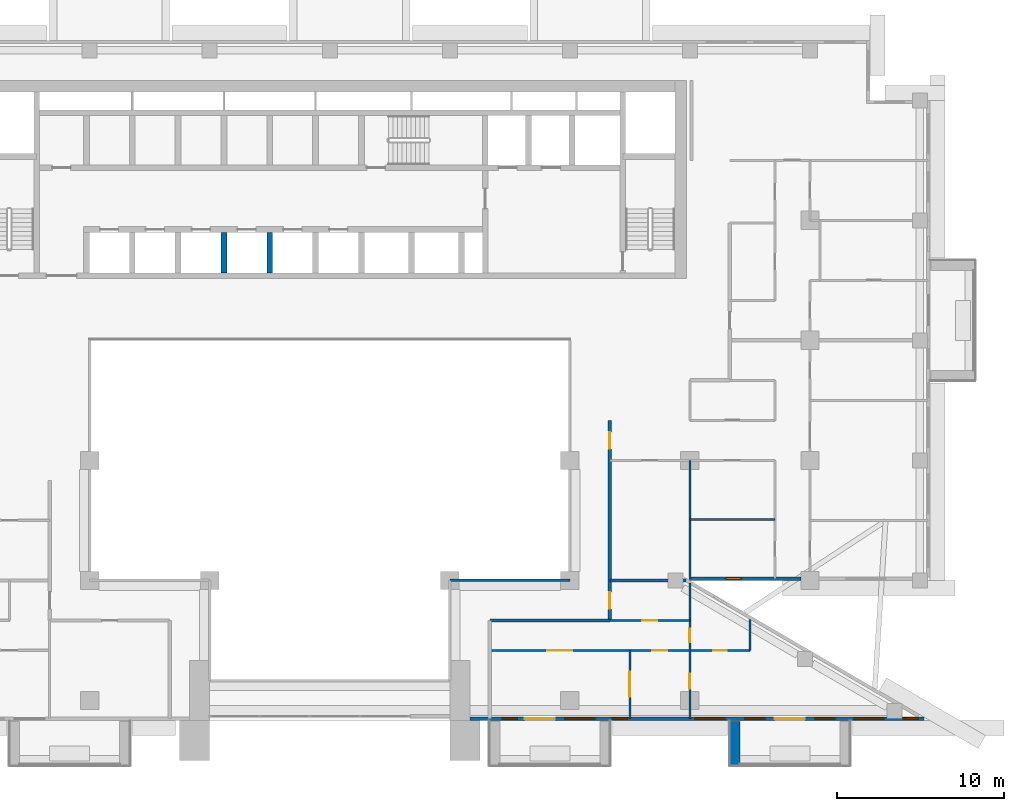
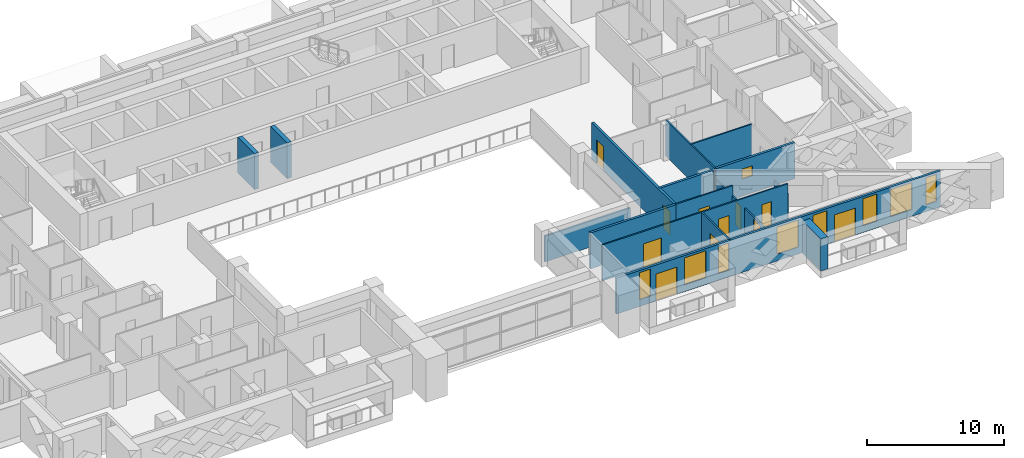
# One storey, part 8 of 20: 16 walls, 11 doors, 9 windows, 20 openings.
"""IFC4 building model written with IfcOpenShell, lengths in metres."""

import ifcopenshell
import ifcopenshell.guid

model = None  # the IFC model being written
_history = None  # IfcOwnerHistory: only IFC2X3 demands one
_inside = {}  # id of a spatial element -> (the spatial element, [elements in it])
_under = {}  # id of a project, library or spatial element -> (it, [spatial elements below it])
_declared = {}  # id of a project -> (the project, [libraries it declares])
_typed = {}  # id of a type object -> (the type object, [elements of that type])
_made_of = {}  # id of a material, layer set ... -> (it, [elements and type objects made of it])


def new_model(schema):
    """Start an empty IFC model of exactly this schema.

    Asked for "IFC4X3", IfcOpenShell would pick the latest addendum, in which some entities
    have other attributes; the version numbers below select the first issue.
    IFC2X3 requires an IfcOwnerHistory on every rooted entity: one is made here for all.
    """
    global model, _history
    if schema == "IFC4X3":
        model = ifcopenshell.file(schema_version=(4, 3, 0, 0))
    else:
        model = ifcopenshell.file(schema=schema)
    _inside.clear()
    _under.clear()
    _declared.clear()
    _typed.clear()
    _made_of.clear()
    _history = None
    if model.schema == "IFC2X3":
        org = make("IfcOrganization", Name="unknown")
        user = make(
            "IfcPersonAndOrganization",
            ThePerson=make("IfcPerson", FamilyName="unknown"),
            TheOrganization=org,
        )
        app = make(
            "IfcApplication",
            ApplicationDeveloper=org,
            Version="unknown",
            ApplicationFullName="unknown",
            ApplicationIdentifier="unknown",
        )
        _history = make(
            "IfcOwnerHistory",
            OwningUser=user,
            OwningApplication=app,
            ChangeAction="ADDED",
            CreationDate=0,
        )
    return model


def make(cls, **values):
    """One entity of the class cls with the attributes given. An attribute that is None is left unset."""
    return model.create_entity(
        cls, **{name: value for name, value in values.items() if value is not None}
    )


def rooted(cls, **values):
    """An entity with a GlobalId (a new one), such as an element, a storey or a relation."""
    return make(cls, GlobalId=ifcopenshell.guid.new(), OwnerHistory=_history, **values)


def si_unit(unit_type, name, prefix=None):
    """IfcSIUnit, for example si_unit("LENGTHUNIT", "METRE", prefix="MILLI")."""
    return make("IfcSIUnit", UnitType=unit_type, Prefix=prefix, Name=name)


def assignment(units):
    """IfcUnitAssignment: the units of a project."""
    return None if units is None else make("IfcUnitAssignment", Units=units)


def point(xyz):
    """IfcCartesianPoint."""
    return None if xyz is None else make("IfcCartesianPoint", Coordinates=xyz)


def direction(xyz):
    """IfcDirection."""
    return None if xyz is None else make("IfcDirection", DirectionRatios=xyz)


def frame(location, z_axis=None, x_axis=None):
    """IfcAxis2Placement3D, a coordinate frame: its origin and axes. An axis left out is left unset."""
    return make(
        "IfcAxis2Placement3D",
        Location=point(location),
        Axis=direction(z_axis),
        RefDirection=direction(x_axis),
    )


def frame_2d(location, x_axis=None):
    """IfcAxis2Placement2D, a coordinate frame in the plane: its origin and x axis."""
    return make(
        "IfcAxis2Placement2D", Location=point(location), RefDirection=direction(x_axis)
    )


def origin():
    """The frame at (0, 0, 0) with its axes left unset."""
    return frame((0.0, 0.0, 0.0))


def place(relative_to, where):
    """IfcLocalPlacement: puts the frame where relative to a parent placement (None: the world)."""
    return make(
        "IfcLocalPlacement", PlacementRelTo=relative_to, RelativePlacement=where
    )


def context(
    kind, dimensions, precision=None, world=None, true_north=None, identifier=None
):
    """IfcGeometricRepresentationContext, for example the 3D "Model" context."""
    return make(
        "IfcGeometricRepresentationContext",
        ContextIdentifier=identifier,
        ContextType=kind,
        CoordinateSpaceDimension=dimensions,
        Precision=precision,
        WorldCoordinateSystem=world,
        TrueNorth=true_north,
    )


def subcontext(parent, identifier, kind, view, scale=None):
    """IfcGeometricRepresentationSubContext, for example "Body" below "Model"."""
    return make(
        "IfcGeometricRepresentationSubContext",
        ContextIdentifier=identifier,
        ContextType=kind,
        ParentContext=parent,
        TargetScale=scale,
        TargetView=view,
    )


def project(units=None, contexts=None):
    """IfcProject with its units and contexts."""
    return rooted(
        "IfcProject",
        Name="project",
        RepresentationContexts=contexts,
        UnitsInContext=assignment(units),
    )


def spatial(cls, under=None, at=None, **own):
    """A site, building, storey or space (cls), placed at a placement, below another one or the project."""
    s = rooted(cls, ObjectPlacement=at, **own)
    if under is not None:
        _under.setdefault(under.id(), (under, []))[1].append(s)
    return s


def profile(cls, at=None, kind="AREA", **sizes):
    """A parametric profile (cls). Its sizes go by their IFC names, for example OverallWidth=200.0."""
    return make(cls, ProfileType=kind, Position=at, **sizes)


def rectangle(**sizes):
    """IfcRectangleProfileDef."""
    return profile("IfcRectangleProfileDef", **sizes)


def extrude(swept, where, along, depth):
    """IfcExtrudedAreaSolid: the profile swept, set in the frame where, extruded along a direction by depth."""
    return make(
        "IfcExtrudedAreaSolid",
        SweptArea=swept,
        Position=where,
        ExtrudedDirection=direction(along),
        Depth=depth,
    )


def shape(context_of_items, identifier, shape_type, items):
    """IfcShapeRepresentation: the items that make up one representation, for example the "Body"."""
    return make(
        "IfcShapeRepresentation",
        ContextOfItems=context_of_items,
        RepresentationIdentifier=identifier,
        RepresentationType=shape_type,
        Items=items,
    )


def material(Name=None, Category=None):
    """IfcMaterial."""
    return make("IfcMaterial", Name=Name, Category=Category)


def layer(
    of_material, thickness, ventilated=None, Name=None, Category=None, Priority=None
):
    """IfcMaterialLayer: one layer of a wall or slab, of a material (None: an air gap)."""
    return make(
        "IfcMaterialLayer",
        Material=of_material,
        LayerThickness=thickness,
        IsVentilated=ventilated,
        Name=Name,
        Category=Category,
        Priority=Priority,
    )


def layer_set(layers, Name=None):
    """IfcMaterialLayerSet."""
    return make("IfcMaterialLayerSet", MaterialLayers=layers, LayerSetName=Name)


def made_of(thing, what):
    """Note that an element or type object is made of a material, layer set ...; save() writes the relation."""
    if what is not None:
        _made_of.setdefault(what.id(), (what, []))[1].append(thing)
    return thing


def type_object(cls, material=None, **own):
    """A type object (cls), such as IfcWallType, which elements share."""
    return made_of(rooted(cls, **own), material)


def element(
    cls,
    number,
    at=None,
    inside=None,
    cuts=None,
    type_object=None,
    material=None,
    context=None,
    identifier="Body",
    shape_type=None,
    held_by="IfcProductDefinitionShape",
    body=None,
    shapes=None,
    **own,
):
    """One element of the class cls, such as IfcWall. Its Tag is "e" and its number.

    at: its placement. inside: the storey or other place that contains it. cuts: it is an
    opening in that element (IfcRelVoidsElement). A single representation is given by context,
    identifier, shape_type and body (its items); several are given by shapes. held_by: the class
    of the entity that holds the representations. save() writes the other relations.
    """
    e = rooted(cls, Tag="e%d" % number, ObjectPlacement=at, **own)
    if body is not None:
        shapes = [shape(context, identifier, shape_type, body)]
    if shapes is not None:
        e.Representation = make(held_by, Representations=shapes)
    if inside is not None:
        _inside.setdefault(inside.id(), (inside, []))[1].append(e)
    if cuts is not None:
        rooted(
            "IfcRelVoidsElement", RelatingBuildingElement=cuts, RelatedOpeningElement=e
        )
    if type_object is not None:
        _typed.setdefault(type_object.id(), (type_object, []))[1].append(e)
    return made_of(e, material)


def fill(opening, filler):
    """IfcRelFillsElement: the door or window that sits in an opening."""
    return rooted(
        "IfcRelFillsElement",
        RelatingOpeningElement=opening,
        RelatedBuildingElement=filler,
    )


def aggregate(whole, parts):
    """IfcRelAggregates: a whole, such as a stair, and the parts it consists of."""
    return rooted("IfcRelAggregates", RelatingObject=whole, RelatedObjects=parts)


def save(model, path):
    """Write the relations noted so far, then the file.

    IfcRelAggregates (storeys below a building ...), IfcRelContainedInSpatialStructure (elements
    in a storey), IfcRelDefinesByType, IfcRelAssociatesMaterial and IfcRelDeclares: one each for
    every whole, place, type object, material and project.
    """
    for whole, parts in _under.values():
        aggregate(whole, parts)
    for where, things in _inside.values():
        rooted(
            "IfcRelContainedInSpatialStructure",
            RelatedElements=things,
            RelatingStructure=where,
        )
    for kind, things in _typed.values():
        rooted("IfcRelDefinesByType", RelatedObjects=things, RelatingType=kind)
    for what, things in _made_of.values():
        rooted("IfcRelAssociatesMaterial", RelatedObjects=things, RelatingMaterial=what)
    for by, libraries in _declared.values():
        rooted("IfcRelDeclares", RelatingContext=by, RelatedDefinitions=libraries)
    model.write(path)


model = new_model("IFC4")

# Units and contexts
model_context = context("Model", 3, precision=1e-05, world=origin(), true_north=direction((0.0, 1.0)))
body_context = subcontext(model_context, "Body", "Model", "MODEL_VIEW")
ifc_project = project(units=[si_unit("LENGTHUNIT", "METRE"), si_unit("AREAUNIT", "SQUARE_METRE"), si_unit("VOLUMEUNIT", "CUBIC_METRE"), si_unit("PLANEANGLEUNIT", "RADIAN"), si_unit("MASSUNIT", "GRAM", prefix="KILO")], contexts=[model_context])

# Site, building, storey
site_placement = place(None, origin())
site = spatial("IfcSite", under=ifc_project, at=site_placement, CompositionType="ELEMENT")
building_placement = place(site_placement, origin())
building = spatial("IfcBuilding", under=site, at=building_placement, Name="Saffron Iwan Residences", CompositionType="ELEMENT")
storey_placement = place(building_placement, frame((0.0, 0.0, 130.5)))
storey = spatial("IfcBuildingStorey", under=building, at=storey_placement, Name="L34", CompositionType="ELEMENT", Elevation=130.5)

# Walls
ifc_material_1 = material(Name="Fire-rated glazing", Category="glass")
ifc_layer_1 = layer(ifc_material_1, 0.14990234375)
ifc_layer_set_1 = layer_set([ifc_layer_1], Name="Fire-rated glazing")
wall_type_1 = type_object("IfcWallType", Name="Atrium glazed screen 150", PredefinedType="SOLIDWALL", material=ifc_layer_set_1)
wall_1_placement = place(storey_placement, frame((57.60009765625, 48.0, 0.0), z_axis=(0.0, 0.0, 1.0), x_axis=(1.0, 0.0, 0.0)))
element("IfcWall", 1, at=wall_1_placement, inside=storey, type_object=wall_type_1, Name="W-L34-SCREEN-h48-57.6", PredefinedType="SOLIDWALL", context=body_context, shape_type="SweptSolid", body=[
    extrude(rectangle(XDim=7.199951171875, YDim=0.14990234375, at=frame_2d((3.60009765625, 0.0))), origin(), (0.0, 0.0, 1.0), 2.300048828125),
])
ifc_material_2 = material(Name="Concrete C50/60 white painted", Category="concrete")
ifc_layer_2 = layer(ifc_material_2, 0.60009765625)
ifc_layer_set_2 = layer_set([ifc_layer_2], Name="Concrete C50/60 white painted")
wall_type_2 = type_object("IfcWallType", Name="BALCONY FIN 600", PredefinedType="SOLIDWALL", material=ifc_layer_set_2)
wall_2_placement = place(storey_placement, frame((74.699951171875, 39.550048828125, 0.0), z_axis=(0.0, 0.0, 1.0), x_axis=(0.0, -1.0, 0.0)))
element("IfcWall", 2, at=wall_2_placement, inside=storey, type_object=wall_type_2, Name="Balcony fin L34 11-2a", PredefinedType="SOLIDWALL", context=body_context, shape_type="SweptSolid", body=[
    extrude(rectangle(XDim=2.650146484375, YDim=0.60009765625, at=frame_2d((1.3251953125, 0.0))), origin(), (0.0, 0.0, 1.0), 2.85009765625),
])

# Wall, opening, window
ifc_material_3 = material(Name="Concrete C40/50", Category="concrete")
ifc_layer_3 = layer(ifc_material_3, 0.199951171875)
ifc_layer_set_3 = layer_set([ifc_layer_3], Name="Concrete C40/50")
wall_type_3 = type_object("IfcWallType", Name="EXTERNAL WALL 200", PredefinedType="SOLIDWALL", material=ifc_layer_set_3)
wall_3_placement = place(storey_placement, frame((71.989990234375, 48.10009765625, 0.0), z_axis=(0.0, 0.0, 1.0), x_axis=(1.0, 0.0, 0.0)))
wall_3 = element("IfcWall", 3, at=wall_3_placement, inside=storey, type_object=wall_type_3, Name="External wall L34 F1.0", PredefinedType="SOLIDWALL", context=body_context, shape_type="SweptSolid", body=[
    extrude(rectangle(XDim=6.659912109375, YDim=0.199951171875, at=frame_2d((3.330078125, 0.0))), origin(), (0.0, 0.0, 1.0), 3.199951171875),
])
opening_1_placement = place(wall_3_placement, frame((2.204833984375, 0.0, 1.5)))
opening_1 = element("IfcOpeningElement", 4, at=opening_1_placement, cuts=wall_3, Name="Opening W6", PredefinedType="OPENING", context=body_context, shape_type="SweptSolid", body=[
    extrude(rectangle(XDim=0.89990234375, YDim=0.89990234375, at=frame_2d((0.449951171875, 0.449951171875))), frame((0.0, 0.10986328125, 0.0), z_axis=(0.0, -1.0, 0.0), x_axis=(1.0, 0.0, 0.0)), (0.0, 0.0, 1.0), 0.219970703125),
])
ifc_material_4 = material(Name="Clear glass, laminated double glazed", Category="glass")
window_type_1 = type_object("IfcWindowType", Name="WINDOW 900 x 900 BATH", PartitioningType="SINGLE_PANEL", PredefinedType="WINDOW", material=ifc_material_4)
window_1_placement = place(opening_1_placement, origin())
window_1 = element("IfcWindow", 5, at=window_1_placement, inside=storey, type_object=window_type_1, Name="Window L34 F1.0", OverallHeight=0.89990234375, OverallWidth=0.89990234375, PartitioningType="SINGLE_PANEL", PredefinedType="WINDOW", context=body_context, shape_type="SweptSolid", body=[
    extrude(rectangle(XDim=0.89990234375, YDim=0.89990234375, at=frame_2d((0.449951171875, 0.449951171875))), frame((0.0, 0.030029296875, 0.0), z_axis=(0.0, -1.0, 0.0), x_axis=(1.0, 0.0, 0.0)), (0.0, 0.0, 1.0), 0.06005859375),
])
fill(opening_1, window_1)

# Wall, openings, doors, windows
wall_4_placement = place(storey_placement, frame((58.800048828125, 39.699951171875, 0.0), z_axis=(0.0, 0.0, 1.0), x_axis=(1.0, 0.0, 0.0)))
wall_4 = element("IfcWall", 6, at=wall_4_placement, inside=storey, type_object=wall_type_3, Name="External wall L34 F11.1", PredefinedType="SOLIDWALL", context=body_context, shape_type="SweptSolid", body=[
    extrude(rectangle(XDim=27.22998046875, YDim=0.199951171875, at=frame_2d((13.614990234375, 0.0))), origin(), (0.0, 0.0, 1.0), 3.199951171875),
])
opening_2_placement = place(wall_4_placement, frame((3.300048828125, 0.0, 0.0)))
opening_2 = element("IfcOpeningElement", 7, at=opening_2_placement, cuts=wall_4, Name="Opening BD1", PredefinedType="OPENING", context=body_context, shape_type="SweptSolid", body=[
    extrude(rectangle(XDim=1.800048828125, YDim=2.39990234375, at=frame_2d((0.89990234375, 1.199951171875))), frame((0.0, 0.10986328125, 0.0), z_axis=(0.0, -1.0, 0.0), x_axis=(1.0, 0.0, 0.0)), (0.0, 0.0, 1.0), 0.219970703125),
])
opening_3_placement = place(wall_4_placement, frame((18.300048828125, 0.0, 0.0)))
opening_3 = element("IfcOpeningElement", 8, at=opening_3_placement, cuts=wall_4, Name="Opening BD1", PredefinedType="OPENING", context=body_context, shape_type="SweptSolid", body=[
    extrude(rectangle(XDim=1.800048828125, YDim=2.39990234375, at=frame_2d((0.89990234375, 1.199951171875))), frame((0.0, 0.10986328125, 0.0), z_axis=(0.0, -1.0, 0.0), x_axis=(1.0, 0.0, 0.0)), (0.0, 0.0, 1.0), 0.219970703125),
])
opening_4_placement = place(wall_4_placement, frame((1.949951171875, 0.0, 0.60009765625)))
opening_4 = element("IfcOpeningElement", 9, at=opening_4_placement, cuts=wall_4, Name="Opening W10", PredefinedType="OPENING", context=body_context, shape_type="SweptSolid", body=[
    extrude(rectangle(XDim=0.89990234375, YDim=2.39990234375, at=frame_2d((0.449951171875, 1.199951171875))), frame((0.0, 0.10986328125, 0.0), z_axis=(0.0, -1.0, 0.0), x_axis=(1.0, 0.0, 0.0)), (0.0, 0.0, 1.0), 0.219970703125),
])
opening_5_placement = place(wall_4_placement, frame((5.699951171875, 0.0, 0.60009765625)))
opening_5 = element("IfcOpeningElement", 10, at=opening_5_placement, cuts=wall_4, Name="Opening W8", PredefinedType="OPENING", context=body_context, shape_type="SweptSolid", body=[
    extrude(rectangle(XDim=1.800048828125, YDim=2.39990234375, at=frame_2d((0.89990234375, 1.199951171875))), frame((0.0, 0.10986328125, 0.0), z_axis=(0.0, -1.0, 0.0), x_axis=(1.0, 0.0, 0.0)), (0.0, 0.0, 1.0), 0.219970703125),
])
opening_6_placement = place(wall_4_placement, frame((8.550048828125, 0.0, 0.60009765625)))
opening_6 = element("IfcOpeningElement", 11, at=opening_6_placement, cuts=wall_4, Name="Opening W10", PredefinedType="OPENING", context=body_context, shape_type="SweptSolid", body=[
    extrude(rectangle(XDim=0.89990234375, YDim=2.39990234375, at=frame_2d((0.449951171875, 1.199951171875))), frame((0.0, 0.10986328125, 0.0), z_axis=(0.0, -1.0, 0.0), x_axis=(1.0, 0.0, 0.0)), (0.0, 0.0, 1.0), 0.219970703125),
])
opening_7_placement = place(wall_4_placement, frame((13.5, 0.0, 0.60009765625)))
opening_7 = element("IfcOpeningElement", 12, at=opening_7_placement, cuts=wall_4, Name="Opening W8", PredefinedType="OPENING", context=body_context, shape_type="SweptSolid", body=[
    extrude(rectangle(XDim=1.800048828125, YDim=2.39990234375, at=frame_2d((0.89990234375, 1.199951171875))), frame((0.0, 0.10986328125, 0.0), z_axis=(0.0, -1.0, 0.0), x_axis=(1.0, 0.0, 0.0)), (0.0, 0.0, 1.0), 0.219970703125),
])
opening_8_placement = place(wall_4_placement, frame((16.5, 0.0, 0.60009765625)))
opening_8 = element("IfcOpeningElement", 13, at=opening_8_placement, cuts=wall_4, Name="Opening W3", PredefinedType="OPENING", context=body_context, shape_type="SweptSolid", body=[
    extrude(rectangle(XDim=1.199951171875, YDim=2.39990234375, at=frame_2d((0.60009765625, 1.199951171875))), frame((0.0, 0.10986328125, 0.0), z_axis=(0.0, -1.0, 0.0), x_axis=(1.0, 0.0, 0.0)), (0.0, 0.0, 1.0), 0.219970703125),
])
opening_9_placement = place(wall_4_placement, frame((20.699951171875, 0.0, 0.60009765625)))
opening_9 = element("IfcOpeningElement", 14, at=opening_9_placement, cuts=wall_4, Name="Opening W3", PredefinedType="OPENING", context=body_context, shape_type="SweptSolid", body=[
    extrude(rectangle(XDim=1.199951171875, YDim=2.39990234375, at=frame_2d((0.60009765625, 1.199951171875))), frame((0.0, 0.10986328125, 0.0), z_axis=(0.0, -1.0, 0.0), x_axis=(1.0, 0.0, 0.0)), (0.0, 0.0, 1.0), 0.219970703125),
])
opening_10_placement = place(wall_4_placement, frame((23.0380859375, 0.0, 0.60009765625)))
opening_10 = element("IfcOpeningElement", 15, at=opening_10_placement, cuts=wall_4, Name="Opening W8", PredefinedType="OPENING", context=body_context, shape_type="SweptSolid", body=[
    extrude(rectangle(XDim=1.800048828125, YDim=2.39990234375, at=frame_2d((0.89990234375, 1.199951171875))), frame((0.0, 0.10986328125, 0.0), z_axis=(0.0, -1.0, 0.0), x_axis=(1.0, 0.0, 0.0)), (0.0, 0.0, 1.0), 0.219970703125),
])
opening_11_placement = place(wall_4_placement, frame((26.003173828125, 0.0, 0.60009765625)))
opening_11 = element("IfcOpeningElement", 16, at=opening_11_placement, cuts=wall_4, Name="Opening W10", PredefinedType="OPENING", context=body_context, shape_type="SweptSolid", body=[
    extrude(rectangle(XDim=0.89990234375, YDim=2.39990234375, at=frame_2d((0.449951171875, 1.199951171875))), frame((0.0, 0.10986328125, 0.0), z_axis=(0.0, -1.0, 0.0), x_axis=(1.0, 0.0, 0.0)), (0.0, 0.0, 1.0), 0.219970703125),
])
door_type_1 = type_object("IfcDoorType", Name="BALCONY DOOR 1800 x 2400", OperationType="DOUBLE_DOOR_SLIDING", PredefinedType="DOOR", material=ifc_material_4)
door_1_placement = place(opening_2_placement, origin())
door_1 = element("IfcDoor", 17, at=door_1_placement, inside=storey, type_object=door_type_1, Name="Balcony door L34 F11.0", OperationType="DOUBLE_DOOR_SLIDING", OverallHeight=2.39990234375, OverallWidth=1.800048828125, PredefinedType="DOOR", context=body_context, shape_type="SweptSolid", body=[
    extrude(rectangle(XDim=1.800048828125, YDim=2.39990234375, at=frame_2d((0.89990234375, 1.199951171875))), frame((0.0, 0.02490234375, 0.0), z_axis=(0.0, -1.0, 0.0), x_axis=(1.0, 0.0, 0.0)), (0.0, 0.0, 1.0), 0.050048828125),
])
fill(opening_2, door_1)
door_2_placement = place(opening_3_placement, origin())
door_2 = element("IfcDoor", 18, at=door_2_placement, inside=storey, type_object=door_type_1, Name="Balcony door L34 F11.1", OperationType="DOUBLE_DOOR_SLIDING", OverallHeight=2.39990234375, OverallWidth=1.800048828125, PredefinedType="DOOR", context=body_context, shape_type="SweptSolid", body=[
    extrude(rectangle(XDim=1.800048828125, YDim=2.39990234375, at=frame_2d((0.89990234375, 1.199951171875))), frame((0.0, 0.02490234375, 0.0), z_axis=(0.0, -1.0, 0.0), x_axis=(1.0, 0.0, 0.0)), (0.0, 0.0, 1.0), 0.050048828125),
])
fill(opening_3, door_2)
window_type_2 = type_object("IfcWindowType", Name="WINDOW 1200 x 2400", PartitioningType="SINGLE_PANEL", PredefinedType="WINDOW", material=ifc_material_4)
window_2_placement = place(opening_8_placement, origin())
window_2 = element("IfcWindow", 19, at=window_2_placement, inside=storey, type_object=window_type_2, Name="Window L34 F11.6", OverallHeight=2.39990234375, OverallWidth=1.199951171875, PartitioningType="SINGLE_PANEL", PredefinedType="WINDOW", context=body_context, shape_type="SweptSolid", body=[
    extrude(rectangle(XDim=1.199951171875, YDim=2.39990234375, at=frame_2d((0.60009765625, 1.199951171875))), frame((0.0, 0.030029296875, 0.0), z_axis=(0.0, -1.0, 0.0), x_axis=(1.0, 0.0, 0.0)), (0.0, 0.0, 1.0), 0.06005859375),
])
fill(opening_8, window_2)
window_3_placement = place(opening_9_placement, origin())
window_3 = element("IfcWindow", 20, at=window_3_placement, inside=storey, type_object=window_type_2, Name="Window L34 F11.7", OverallHeight=2.39990234375, OverallWidth=1.199951171875, PartitioningType="SINGLE_PANEL", PredefinedType="WINDOW", context=body_context, shape_type="SweptSolid", body=[
    extrude(rectangle(XDim=1.199951171875, YDim=2.39990234375, at=frame_2d((0.60009765625, 1.199951171875))), frame((0.0, 0.030029296875, 0.0), z_axis=(0.0, -1.0, 0.0), x_axis=(1.0, 0.0, 0.0)), (0.0, 0.0, 1.0), 0.06005859375),
])
fill(opening_9, window_3)
window_type_3 = type_object("IfcWindowType", Name="WINDOW 1800 x 2400", PartitioningType="DOUBLE_PANEL_VERTICAL", PredefinedType="WINDOW", material=ifc_material_4)
window_4_placement = place(opening_5_placement, origin())
window_4 = element("IfcWindow", 21, at=window_4_placement, inside=storey, type_object=window_type_3, Name="Window L34 F11.3", OverallHeight=2.39990234375, OverallWidth=1.800048828125, PartitioningType="DOUBLE_PANEL_VERTICAL", PredefinedType="WINDOW", context=body_context, shape_type="SweptSolid", body=[
    extrude(rectangle(XDim=1.800048828125, YDim=2.39990234375, at=frame_2d((0.89990234375, 1.199951171875))), frame((0.0, 0.030029296875, 0.0), z_axis=(0.0, -1.0, 0.0), x_axis=(1.0, 0.0, 0.0)), (0.0, 0.0, 1.0), 0.06005859375),
])
fill(opening_5, window_4)
window_5_placement = place(opening_7_placement, origin())
window_5 = element("IfcWindow", 22, at=window_5_placement, inside=storey, type_object=window_type_3, Name="Window L34 F11.5", OverallHeight=2.39990234375, OverallWidth=1.800048828125, PartitioningType="DOUBLE_PANEL_VERTICAL", PredefinedType="WINDOW", context=body_context, shape_type="SweptSolid", body=[
    extrude(rectangle(XDim=1.800048828125, YDim=2.39990234375, at=frame_2d((0.89990234375, 1.199951171875))), frame((0.0, 0.030029296875, 0.0), z_axis=(0.0, -1.0, 0.0), x_axis=(1.0, 0.0, 0.0)), (0.0, 0.0, 1.0), 0.06005859375),
])
fill(opening_7, window_5)
window_6_placement = place(opening_10_placement, origin())
window_6 = element("IfcWindow", 23, at=window_6_placement, inside=storey, type_object=window_type_3, Name="Window L34 F11.8", OverallHeight=2.39990234375, OverallWidth=1.800048828125, PartitioningType="DOUBLE_PANEL_VERTICAL", PredefinedType="WINDOW", context=body_context, shape_type="SweptSolid", body=[
    extrude(rectangle(XDim=1.800048828125, YDim=2.39990234375, at=frame_2d((0.89990234375, 1.199951171875))), frame((0.0, 0.030029296875, 0.0), z_axis=(0.0, -1.0, 0.0), x_axis=(1.0, 0.0, 0.0)), (0.0, 0.0, 1.0), 0.06005859375),
])
fill(opening_10, window_6)
window_type_4 = type_object("IfcWindowType", Name="WINDOW 900 x 2400", PartitioningType="SINGLE_PANEL", PredefinedType="WINDOW", material=ifc_material_4)
window_7_placement = place(opening_4_placement, origin())
window_7 = element("IfcWindow", 24, at=window_7_placement, inside=storey, type_object=window_type_4, Name="Window L34 F11.2", OverallHeight=2.39990234375, OverallWidth=0.89990234375, PartitioningType="SINGLE_PANEL", PredefinedType="WINDOW", context=body_context, shape_type="SweptSolid", body=[
    extrude(rectangle(XDim=0.89990234375, YDim=2.39990234375, at=frame_2d((0.449951171875, 1.199951171875))), frame((0.0, 0.030029296875, 0.0), z_axis=(0.0, -1.0, 0.0), x_axis=(1.0, 0.0, 0.0)), (0.0, 0.0, 1.0), 0.06005859375),
])
fill(opening_4, window_7)
window_8_placement = place(opening_6_placement, origin())
window_8 = element("IfcWindow", 25, at=window_8_placement, inside=storey, type_object=window_type_4, Name="Window L34 F11.4", OverallHeight=2.39990234375, OverallWidth=0.89990234375, PartitioningType="SINGLE_PANEL", PredefinedType="WINDOW", context=body_context, shape_type="SweptSolid", body=[
    extrude(rectangle(XDim=0.89990234375, YDim=2.39990234375, at=frame_2d((0.449951171875, 1.199951171875))), frame((0.0, 0.030029296875, 0.0), z_axis=(0.0, -1.0, 0.0), x_axis=(1.0, 0.0, 0.0)), (0.0, 0.0, 1.0), 0.06005859375),
])
fill(opening_6, window_8)
window_9_placement = place(opening_11_placement, origin())
window_9 = element("IfcWindow", 26, at=window_9_placement, inside=storey, type_object=window_type_4, Name="Window L34 F11.9", OverallHeight=2.39990234375, OverallWidth=0.89990234375, PartitioningType="SINGLE_PANEL", PredefinedType="WINDOW", context=body_context, shape_type="SweptSolid", body=[
    extrude(rectangle(XDim=0.89990234375, YDim=2.39990234375, at=frame_2d((0.449951171875, 1.199951171875))), frame((0.0, 0.030029296875, 0.0), z_axis=(0.0, -1.0, 0.0), x_axis=(1.0, 0.0, 0.0)), (0.0, 0.0, 1.0), 0.06005859375),
])
fill(opening_11, window_9)

# Wall
ifc_material_5 = material(Name="Fire-rated gypsum board wall")
ifc_layer_4 = layer(ifc_material_5, 0.199951171875)
ifc_layer_set_4 = layer_set([ifc_layer_4], Name="Fire-rated gypsum board wall")
wall_type_4 = type_object("IfcWallType", Name="Flat demising wall 200", PredefinedType="SOLIDWALL", material=ifc_layer_set_4)
wall_5_placement = place(storey_placement, frame((67.199951171875, 48.0, 0.0), z_axis=(0.0, 0.0, 1.0), x_axis=(1.0, 0.0, 0.0)))
element("IfcWall", 27, at=wall_5_placement, inside=storey, type_object=wall_type_4, Name="W-L34-DEMISE-h48-67.2", PredefinedType="SOLIDWALL", context=body_context, shape_type="SweptSolid", body=[
    extrude(rectangle(XDim=4.552001953125, YDim=0.199951171875, at=frame_2d((2.27587890625, 0.0))), origin(), (0.0, 0.0, 1.0), 3.199951171875),
])

# Wall, openings, doors
ifc_material_6 = material(Name="Gypsum board partition")
ifc_layer_5 = layer(ifc_material_6, 0.1201171875)
ifc_layer_set_5 = layer_set([ifc_layer_5], Name="Gypsum board partition")
wall_type_5 = type_object("IfcWallType", Name="Flat partition 120", PredefinedType="PARTITIONING", material=ifc_layer_set_5)
wall_6_placement = place(storey_placement, frame((60.0, 43.800048828125, 0.0), z_axis=(0.0, 0.0, 1.0), x_axis=(1.0, 0.0, 0.0)))
wall_6 = element("IfcWall", 28, at=wall_6_placement, inside=storey, type_object=wall_type_5, Name="W-L34-PART-h43.8-60", PredefinedType="PARTITIONING", context=body_context, shape_type="SweptSolid", body=[
    extrude(rectangle(XDim=15.60009765625, YDim=0.1201171875, at=frame_2d((7.800048828125, 0.0))), origin(), (0.0, 0.0, 1.0), 3.199951171875),
])
opening_12_placement = place(wall_6_placement, frame((9.75, 0.0, 0.0)))
opening_12 = element("IfcOpeningElement", 29, at=opening_12_placement, cuts=wall_6, Name="Opening FD2", PredefinedType="OPENING", context=body_context, shape_type="SweptSolid", body=[
    extrude(rectangle(XDim=0.89990234375, YDim=2.10009765625, at=frame_2d((0.449951171875, 1.050048828125))), frame((0.0, 0.070068359375, 0.0), z_axis=(0.0, -1.0, 0.0), x_axis=(1.0, 0.0, 0.0)), (0.0, 0.0, 1.0), 0.14013671875),
])
opening_13_placement = place(wall_6_placement, frame((3.449951171875, 0.0, 0.0)))
opening_13 = element("IfcOpeningElement", 30, at=opening_13_placement, cuts=wall_6, Name="Opening FD4", PredefinedType="OPENING", context=body_context, shape_type="SweptSolid", body=[
    extrude(rectangle(XDim=1.5, YDim=2.10009765625, at=frame_2d((0.75, 1.050048828125))), frame((0.0, 0.070068359375, 0.0), z_axis=(0.0, -1.0, 0.0), x_axis=(1.0, 0.0, 0.0)), (0.0, 0.0, 1.0), 0.14013671875),
])
opening_14_placement = place(wall_6_placement, frame((13.39990234375, 0.0, 0.0)))
opening_14 = element("IfcOpeningElement", 31, at=opening_14_placement, cuts=wall_6, Name="Opening FD3", PredefinedType="OPENING", context=body_context, shape_type="SweptSolid", body=[
    extrude(rectangle(XDim=0.800048828125, YDim=2.10009765625, at=frame_2d((0.39990234375, 1.050048828125))), frame((0.0, 0.070068359375, 0.0), z_axis=(0.0, -1.0, 0.0), x_axis=(1.0, 0.0, 0.0)), (0.0, 0.0, 1.0), 0.14013671875),
])
ifc_material_7 = material(Name="Timber door", Category="wood")
door_type_2 = type_object("IfcDoorType", Name="Bathroom door 800", OperationType="NOTDEFINED", PredefinedType="DOOR", material=ifc_material_7)
door_3_placement = place(opening_14_placement, origin())
door_3 = element("IfcDoor", 32, at=door_3_placement, inside=storey, type_object=door_type_2, Name="Door L34-043", OperationType="SINGLE_SWING_LEFT", OverallHeight=2.10009765625, OverallWidth=0.800048828125, PredefinedType="DOOR", context=body_context, shape_type="SweptSolid", body=[
    extrude(rectangle(XDim=0.800048828125, YDim=2.10009765625, at=frame_2d((0.39990234375, 1.050048828125))), frame((0.0, 0.02490234375, 0.0), z_axis=(0.0, -1.0, 0.0), x_axis=(1.0, 0.0, 0.0)), (0.0, 0.0, 1.0), 0.050048828125),
])
fill(opening_14, door_3)
door_type_3 = type_object("IfcDoorType", Name="Double door 1500", OperationType="NOTDEFINED", PredefinedType="DOOR", material=ifc_material_7)
door_4_placement = place(opening_13_placement, origin())
door_4 = element("IfcDoor", 33, at=door_4_placement, inside=storey, type_object=door_type_3, Name="Door L34-040", OperationType="SINGLE_SWING_LEFT", OverallHeight=2.10009765625, OverallWidth=1.5, PredefinedType="DOOR", context=body_context, shape_type="SweptSolid", body=[
    extrude(rectangle(XDim=1.5, YDim=2.10009765625, at=frame_2d((0.75, 1.050048828125))), frame((0.0, 0.02490234375, 0.0), z_axis=(0.0, -1.0, 0.0), x_axis=(1.0, 0.0, 0.0)), (0.0, 0.0, 1.0), 0.050048828125),
])
fill(opening_13, door_4)
door_type_4 = type_object("IfcDoorType", Name="Flat door 900", OperationType="NOTDEFINED", PredefinedType="DOOR", material=ifc_material_7)
door_5_placement = place(opening_12_placement, origin())
door_5 = element("IfcDoor", 34, at=door_5_placement, inside=storey, type_object=door_type_4, Name="Door L34-039", OperationType="SINGLE_SWING_RIGHT", OverallHeight=2.10009765625, OverallWidth=0.89990234375, PredefinedType="DOOR", context=body_context, shape_type="SweptSolid", body=[
    extrude(rectangle(XDim=0.89990234375, YDim=2.10009765625, at=frame_2d((0.449951171875, 1.050048828125))), frame((0.0, 0.02490234375, 0.0), z_axis=(0.0, -1.0, 0.0), x_axis=(1.0, 0.0, 0.0)), (0.0, 0.0, 1.0), 0.050048828125),
])
fill(opening_12, door_5)

# Wall, opening, door
wall_7_placement = place(storey_placement, frame((67.199951171875, 45.60009765625, 0.0), z_axis=(0.0, 0.0, 1.0), x_axis=(1.0, 0.0, 0.0)))
wall_7 = element("IfcWall", 35, at=wall_7_placement, inside=storey, type_object=wall_type_5, Name="W-L34-PART-h45.6-67.2", PredefinedType="PARTITIONING", context=body_context, shape_type="SweptSolid", body=[
    extrude(rectangle(XDim=4.800048828125, YDim=0.1201171875, at=frame_2d((2.39990234375, 0.0))), origin(), (0.0, 0.0, 1.0), 3.199951171875),
])
opening_15_placement = place(wall_7_placement, frame((1.949951171875, 0.0, 0.0)))
opening_15 = element("IfcOpeningElement", 36, at=opening_15_placement, cuts=wall_7, Name="Opening FD2", PredefinedType="OPENING", context=body_context, shape_type="SweptSolid", body=[
    extrude(rectangle(XDim=0.89990234375, YDim=2.10009765625, at=frame_2d((0.449951171875, 1.050048828125))), frame((0.0, 0.070068359375, 0.0), z_axis=(0.0, -1.0, 0.0), x_axis=(1.0, 0.0, 0.0)), (0.0, 0.0, 1.0), 0.14013671875),
])
door_6_placement = place(opening_15_placement, origin())
door_6 = element("IfcDoor", 37, at=door_6_placement, inside=storey, type_object=door_type_4, Name="Door L34-037", OperationType="SINGLE_SWING_LEFT", OverallHeight=2.10009765625, OverallWidth=0.89990234375, PredefinedType="DOOR", context=body_context, shape_type="SweptSolid", body=[
    extrude(rectangle(XDim=0.89990234375, YDim=2.10009765625, at=frame_2d((0.449951171875, 1.050048828125))), frame((0.0, 0.02490234375, 0.0), z_axis=(0.0, -1.0, 0.0), x_axis=(1.0, 0.0, 0.0)), (0.0, 0.0, 1.0), 0.050048828125),
])
fill(opening_15, door_6)

# Wall
wall_8_placement = place(storey_placement, frame((72.0, 51.64990234375, 0.0), z_axis=(0.0, 0.0, 1.0), x_axis=(1.0, 0.0, 0.0)))
element("IfcWall", 38, at=wall_8_placement, inside=storey, type_object=wall_type_5, Name="W-L34-PART-h51.65-72", PredefinedType="PARTITIONING", context=body_context, shape_type="SweptSolid", body=[
    extrude(rectangle(XDim=5.10009765625, YDim=0.1201171875, at=frame_2d((2.550048828125, 0.0))), origin(), (0.0, 0.0, 1.0), 3.199951171875),
])

# Wall, opening, door
wall_9_placement = place(storey_placement, frame((68.39990234375, 39.72509765625, 0.0), z_axis=(0.0, 0.0, 1.0), x_axis=(0.0, 1.0, 0.0)))
wall_9 = element("IfcWall", 39, at=wall_9_placement, inside=storey, type_object=wall_type_5, Name="W-L34-PART-v68.4-39.725", PredefinedType="PARTITIONING", context=body_context, shape_type="SweptSolid", body=[
    extrude(rectangle(XDim=4.074951171875, YDim=0.1201171875, at=frame_2d((2.03759765625, 0.0))), origin(), (0.0, 0.0, 1.0), 3.199951171875),
])
opening_16_placement = place(wall_9_placement, frame((1.28759765625, 0.0, 0.0)))
opening_16 = element("IfcOpeningElement", 40, at=opening_16_placement, cuts=wall_9, Name="Opening FD4", PredefinedType="OPENING", context=body_context, shape_type="SweptSolid", body=[
    extrude(rectangle(XDim=1.5, YDim=2.10009765625, at=frame_2d((0.75, 1.050048828125))), frame((0.0, 0.070068359375, 0.0), z_axis=(0.0, -1.0, 0.0), x_axis=(1.0, 0.0, 0.0)), (0.0, 0.0, 1.0), 0.14013671875),
])
door_7_placement = place(opening_16_placement, origin())
door_7 = element("IfcDoor", 41, at=door_7_placement, inside=storey, type_object=door_type_3, Name="Door L34-036", OperationType="SINGLE_SWING_RIGHT", OverallHeight=2.10009765625, OverallWidth=1.5, PredefinedType="DOOR", context=body_context, shape_type="SweptSolid", body=[
    extrude(rectangle(XDim=1.5, YDim=2.10009765625, at=frame_2d((0.75, 1.050048828125))), frame((0.0, 0.02490234375, 0.0), z_axis=(0.0, -1.0, 0.0), x_axis=(1.0, 0.0, 0.0)), (0.0, 0.0, 1.0), 0.050048828125),
])
fill(opening_16, door_7)

# Wall, openings, doors
wall_10_placement = place(storey_placement, frame((72.0, 39.72509765625, 0.0), z_axis=(0.0, 0.0, 1.0), x_axis=(0.0, 1.0, 0.0)))
wall_10 = element("IfcWall", 42, at=wall_10_placement, inside=storey, type_object=wall_type_5, Name="W-L34-PART-v72-39.725", PredefinedType="PARTITIONING", context=body_context, shape_type="SweptSolid", body=[
    extrude(rectangle(XDim=8.1298828125, YDim=0.1201171875, at=frame_2d((4.06494140625, 0.0))), origin(), (0.0, 0.0, 1.0), 2.300048828125),
])
opening_17_placement = place(wall_10_placement, frame((1.78759765625, 0.0, 0.0)))
opening_17 = element("IfcOpeningElement", 43, at=opening_17_placement, cuts=wall_10, Name="Opening FD2", PredefinedType="OPENING", context=body_context, shape_type="SweptSolid", body=[
    extrude(rectangle(XDim=0.89990234375, YDim=2.10009765625, at=frame_2d((0.449951171875, 1.050048828125))), frame((0.0, 0.070068359375, 0.0), z_axis=(0.0, -1.0, 0.0), x_axis=(1.0, 0.0, 0.0)), (0.0, 0.0, 1.0), 0.14013671875),
])
opening_18_placement = place(wall_10_placement, frame((4.574951171875, 0.0, 0.0)))
opening_18 = element("IfcOpeningElement", 44, at=opening_18_placement, cuts=wall_10, Name="Opening FD3", PredefinedType="OPENING", context=body_context, shape_type="SweptSolid", body=[
    extrude(rectangle(XDim=0.800048828125, YDim=2.10009765625, at=frame_2d((0.39990234375, 1.050048828125))), frame((0.0, 0.070068359375, 0.0), z_axis=(0.0, -1.0, 0.0), x_axis=(1.0, 0.0, 0.0)), (0.0, 0.0, 1.0), 0.14013671875),
])
door_8_placement = place(opening_18_placement, origin())
door_8 = element("IfcDoor", 45, at=door_8_placement, inside=storey, type_object=door_type_2, Name="Door L34-042", OperationType="SINGLE_SWING_RIGHT", OverallHeight=2.10009765625, OverallWidth=0.800048828125, PredefinedType="DOOR", context=body_context, shape_type="SweptSolid", body=[
    extrude(rectangle(XDim=0.800048828125, YDim=2.10009765625, at=frame_2d((0.39990234375, 1.050048828125))), frame((0.0, 0.02490234375, 0.0), z_axis=(0.0, -1.0, 0.0), x_axis=(1.0, 0.0, 0.0)), (0.0, 0.0, 1.0), 0.050048828125),
])
fill(opening_18, door_8)
door_9_placement = place(opening_17_placement, origin())
door_9 = element("IfcDoor", 46, at=door_9_placement, inside=storey, type_object=door_type_4, Name="Door L34-041", OperationType="SINGLE_SWING_RIGHT", OverallHeight=2.10009765625, OverallWidth=0.89990234375, PredefinedType="DOOR", context=body_context, shape_type="SweptSolid", body=[
    extrude(rectangle(XDim=0.89990234375, YDim=2.10009765625, at=frame_2d((0.449951171875, 1.050048828125))), frame((0.0, 0.02490234375, 0.0), z_axis=(0.0, -1.0, 0.0), x_axis=(1.0, 0.0, 0.0)), (0.0, 0.0, 1.0), 0.050048828125),
])
fill(opening_17, door_9)

# Walls
wall_11_placement = place(storey_placement, frame((72.0, 48.125, 0.0), z_axis=(0.0, 0.0, 1.0), x_axis=(0.0, 1.0, 0.0)))
element("IfcWall", 47, at=wall_11_placement, inside=storey, type_object=wall_type_5, Name="W-L34-PART-v72-48.125", PredefinedType="PARTITIONING", context=body_context, shape_type="SweptSolid", body=[
    extrude(rectangle(XDim=7.074951171875, YDim=0.1201171875, at=frame_2d((3.53759765625, 0.0))), origin(), (0.0, 0.0, 1.0), 3.199951171875),
])
wall_12_placement = place(storey_placement, frame((75.60009765625, 43.800048828125, 0.0), z_axis=(0.0, 0.0, 1.0), x_axis=(0.0, 1.0, 0.0)))
element("IfcWall", 48, at=wall_12_placement, inside=storey, type_object=wall_type_5, Name="W-L34-PART-v75.6-43.8", PredefinedType="PARTITIONING", context=body_context, shape_type="SweptSolid", body=[
    extrude(rectangle(XDim=1.868408203125, YDim=0.1201171875, at=frame_2d((0.93408203125, 0.0))), origin(), (0.0, 0.0, 1.0), 2.300048828125),
])
ifc_layer_6 = layer(ifc_material_5, 0.199951171875)
ifc_layer_set_6 = layer_set([ifc_layer_6], Name="Fire-rated gypsum board wall")
wall_type_6 = type_object("IfcWallType", Name="Gallery wall 200", PredefinedType="SOLIDWALL", material=ifc_layer_set_6)
wall_13_placement = place(storey_placement, frame((60.0, 45.60009765625, 0.0), z_axis=(0.0, 0.0, 1.0), x_axis=(1.0, 0.0, 0.0)))
element("IfcWall", 49, at=wall_13_placement, inside=storey, type_object=wall_type_6, Name="W-L34-CORR-h45.6-60", PredefinedType="SOLIDWALL", context=body_context, shape_type="SweptSolid", body=[
    extrude(rectangle(XDim=7.199951171875, YDim=0.199951171875, at=frame_2d((3.60009765625, 0.0))), origin(), (0.0, 0.0, 1.0), 3.199951171875),
])

# Wall, openings, doors
wall_14_placement = place(storey_placement, frame((67.199951171875, 45.60009765625, 0.0), z_axis=(0.0, 0.0, 1.0), x_axis=(0.0, 1.0, 0.0)))
wall_14 = element("IfcWall", 50, at=wall_14_placement, inside=storey, type_object=wall_type_6, Name="W-L34-CORR-v67.2-45.6", PredefinedType="SOLIDWALL", context=body_context, shape_type="SweptSolid", body=[
    extrude(rectangle(XDim=12.0, YDim=0.199951171875, at=frame_2d((6.0, 0.0))), origin(), (0.0, 0.0, 1.0), 3.199951171875),
])
opening_19_placement = place(wall_14_placement, frame((10.300048828125, 0.0, 0.0)))
opening_19 = element("IfcOpeningElement", 51, at=opening_19_placement, cuts=wall_14, Name="Opening FD1", PredefinedType="OPENING", context=body_context, shape_type="SweptSolid", body=[
    extrude(rectangle(XDim=1.0, YDim=2.10009765625, at=frame_2d((0.5, 1.050048828125))), frame((0.0, 0.10986328125, 0.0), z_axis=(0.0, -1.0, 0.0), x_axis=(1.0, 0.0, 0.0)), (0.0, 0.0, 1.0), 0.219970703125),
])
opening_20_placement = place(wall_14_placement, frame((0.699951171875, 0.0, 0.0)))
opening_20 = element("IfcOpeningElement", 52, at=opening_20_placement, cuts=wall_14, Name="Opening FD5", PredefinedType="OPENING", context=body_context, shape_type="SweptSolid", body=[
    extrude(rectangle(XDim=1.0, YDim=2.10009765625, at=frame_2d((0.5, 1.050048828125))), frame((0.0, 0.10986328125, 0.0), z_axis=(0.0, -1.0, 0.0), x_axis=(1.0, 0.0, 0.0)), (0.0, 0.0, 1.0), 0.219970703125),
])
ifc_material_8 = material(Name="Fire-rated timber door", Category="wood")
door_type_5 = type_object("IfcDoorType", Name="FD30S flat entrance door 1000", OperationType="NOTDEFINED", PredefinedType="DOOR", material=ifc_material_8)
door_10_placement = place(opening_19_placement, origin())
door_10 = element("IfcDoor", 53, at=door_10_placement, inside=storey, type_object=door_type_5, Name="Door L34-013", OperationType="SINGLE_SWING_LEFT", OverallHeight=2.10009765625, OverallWidth=1.0, PredefinedType="DOOR", context=body_context, shape_type="SweptSolid", body=[
    extrude(rectangle(XDim=1.0, YDim=2.10009765625, at=frame_2d((0.5, 1.050048828125))), frame((0.0, 0.02490234375, 0.0), z_axis=(0.0, -1.0, 0.0), x_axis=(1.0, 0.0, 0.0)), (0.0, 0.0, 1.0), 0.050048828125),
])
fill(opening_19, door_10)
door_type_6 = type_object("IfcDoorType", Name="Lobby door 1000", OperationType="NOTDEFINED", PredefinedType="DOOR", material=ifc_material_8)
door_11_placement = place(opening_20_placement, origin())
door_11 = element("IfcDoor", 54, at=door_11_placement, inside=storey, type_object=door_type_6, Name="Door L34-038", OperationType="SINGLE_SWING_LEFT", OverallHeight=2.10009765625, OverallWidth=1.0, PredefinedType="DOOR", context=body_context, shape_type="SweptSolid", body=[
    extrude(rectangle(XDim=1.0, YDim=2.10009765625, at=frame_2d((0.5, 1.050048828125))), frame((0.0, 0.02490234375, 0.0), z_axis=(0.0, -1.0, 0.0), x_axis=(1.0, 0.0, 0.0)), (0.0, 0.0, 1.0), 0.050048828125),
])
fill(opening_20, door_11)

# Walls
ifc_material_9 = material(Name="Concrete C50/60", Category="concrete")
ifc_layer_7 = layer(ifc_material_9, 0.35009765625)
ifc_layer_set_7 = layer_set([ifc_layer_7], Name="Concrete C50/60")
wall_type_7 = type_object("IfcWallType", Name="WALL CORE 350 C50/60 3200 HIGH", PredefinedType="SHEAR", material=ifc_layer_set_7)
for number, where, z_axis, x_axis, name in (
    (55, (44.050048828125, 66.449951171875, 0.0), (0.0, 0.0, 1.0), (0.0, 1.0, 0.0), "Core wall"),
    (56, (46.800048828125, 66.449951171875, 0.0), (0.0, 0.0, 1.0), (0.0, 1.0, 0.0), "Core wall"),
):
    element("IfcWall", number, at=place(storey_placement, frame(where, z_axis=z_axis, x_axis=x_axis)), inside=storey, type_object=wall_type_7, Name=name, PredefinedType="SHEAR", context=body_context, shape_type="SweptSolid", body=[
        extrude(rectangle(XDim=2.425048828125, YDim=0.35009765625, at=frame_2d((1.21240234375, 0.0))), origin(), (0.0, 0.0, 1.0), 3.199951171875),
    ])

save(model, "model.ifc")
